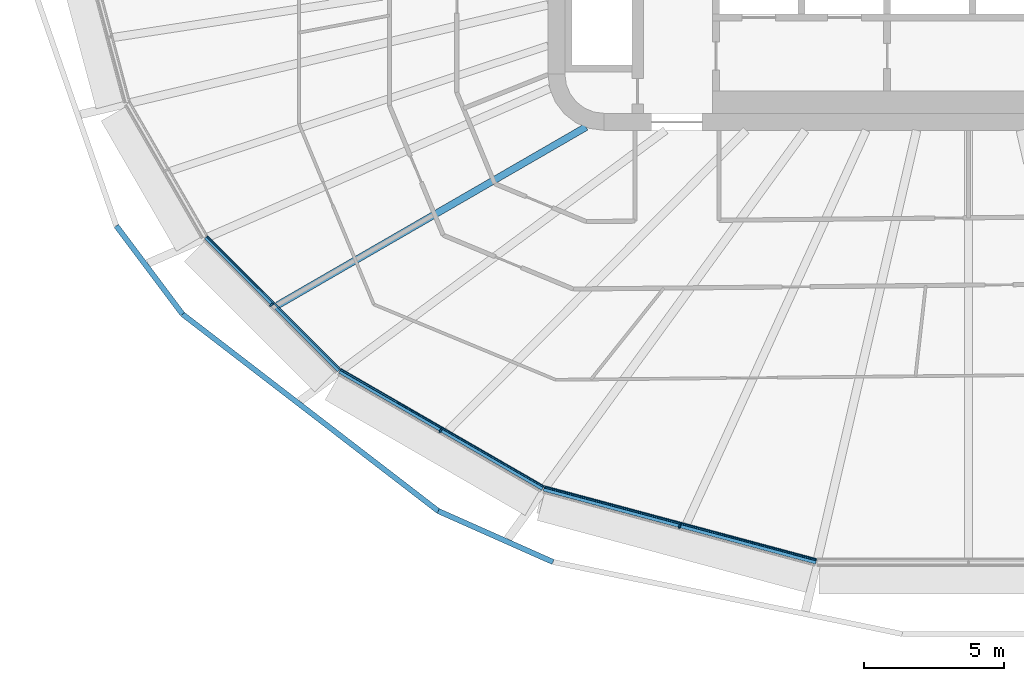
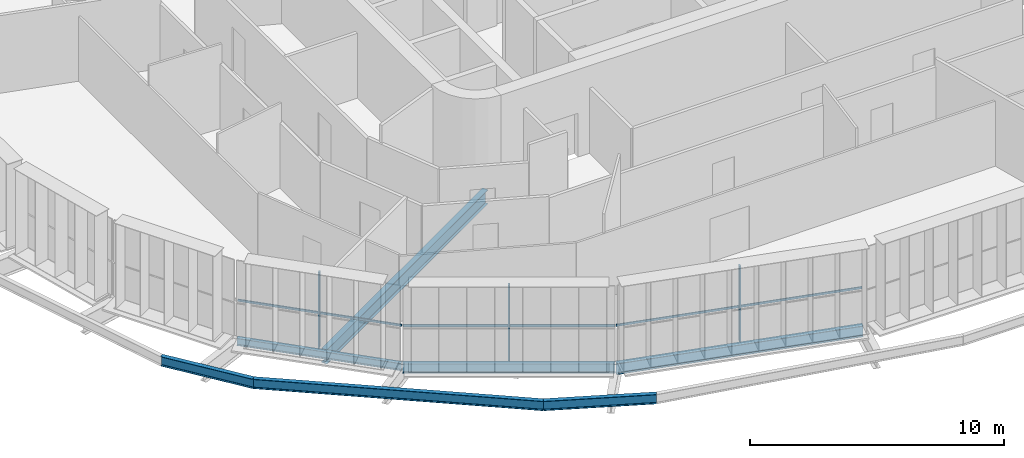
# One storey, part 1 of 28: 7 beams, 6 members, 3 elements without a shape of their own.
"""IFC4 building model written with IfcOpenShell, lengths in metres."""

import ifcopenshell
import ifcopenshell.guid

model = None  # the IFC model being written
_history = None  # IfcOwnerHistory: only IFC2X3 demands one
_inside = {}  # id of a spatial element -> (the spatial element, [elements in it])
_under = {}  # id of a project, library or spatial element -> (it, [spatial elements below it])
_declared = {}  # id of a project -> (the project, [libraries it declares])
_typed = {}  # id of a type object -> (the type object, [elements of that type])
_made_of = {}  # id of a material, layer set ... -> (it, [elements and type objects made of it])


def new_model(schema):
    """Start an empty IFC model of exactly this schema.

    Asked for "IFC4X3", IfcOpenShell would pick the latest addendum, in which some entities
    have other attributes; the version numbers below select the first issue.
    IFC2X3 requires an IfcOwnerHistory on every rooted entity: one is made here for all.
    """
    global model, _history
    if schema == "IFC4X3":
        model = ifcopenshell.file(schema_version=(4, 3, 0, 0))
    else:
        model = ifcopenshell.file(schema=schema)
    _inside.clear()
    _under.clear()
    _declared.clear()
    _typed.clear()
    _made_of.clear()
    _history = None
    if model.schema == "IFC2X3":
        org = make("IfcOrganization", Name="unknown")
        user = make(
            "IfcPersonAndOrganization",
            ThePerson=make("IfcPerson", FamilyName="unknown"),
            TheOrganization=org,
        )
        app = make(
            "IfcApplication",
            ApplicationDeveloper=org,
            Version="unknown",
            ApplicationFullName="unknown",
            ApplicationIdentifier="unknown",
        )
        _history = make(
            "IfcOwnerHistory",
            OwningUser=user,
            OwningApplication=app,
            ChangeAction="ADDED",
            CreationDate=0,
        )
    return model


def make(cls, **values):
    """One entity of the class cls with the attributes given. An attribute that is None is left unset."""
    return model.create_entity(
        cls, **{name: value for name, value in values.items() if value is not None}
    )


def rooted(cls, **values):
    """An entity with a GlobalId (a new one), such as an element, a storey or a relation."""
    return make(cls, GlobalId=ifcopenshell.guid.new(), OwnerHistory=_history, **values)


def si_unit(unit_type, name, prefix=None):
    """IfcSIUnit, for example si_unit("LENGTHUNIT", "METRE", prefix="MILLI")."""
    return make("IfcSIUnit", UnitType=unit_type, Prefix=prefix, Name=name)


def assignment(units):
    """IfcUnitAssignment: the units of a project."""
    return None if units is None else make("IfcUnitAssignment", Units=units)


def point(xyz):
    """IfcCartesianPoint."""
    return None if xyz is None else make("IfcCartesianPoint", Coordinates=xyz)


def direction(xyz):
    """IfcDirection."""
    return None if xyz is None else make("IfcDirection", DirectionRatios=xyz)


def frame(location, z_axis=None, x_axis=None):
    """IfcAxis2Placement3D, a coordinate frame: its origin and axes. An axis left out is left unset."""
    return make(
        "IfcAxis2Placement3D",
        Location=point(location),
        Axis=direction(z_axis),
        RefDirection=direction(x_axis),
    )


def frame_2d(location, x_axis=None):
    """IfcAxis2Placement2D, a coordinate frame in the plane: its origin and x axis."""
    return make(
        "IfcAxis2Placement2D", Location=point(location), RefDirection=direction(x_axis)
    )


def origin():
    """The frame at (0, 0, 0) with its axes left unset."""
    return frame((0.0, 0.0, 0.0))


def origin_2d():
    """The frame at (0, 0) in the plane with its x axis left unset."""
    return frame_2d((0.0, 0.0))


def place(relative_to, where):
    """IfcLocalPlacement: puts the frame where relative to a parent placement (None: the world)."""
    return make(
        "IfcLocalPlacement", PlacementRelTo=relative_to, RelativePlacement=where
    )


def context(
    kind, dimensions, precision=None, world=None, true_north=None, identifier=None
):
    """IfcGeometricRepresentationContext, for example the 3D "Model" context."""
    return make(
        "IfcGeometricRepresentationContext",
        ContextIdentifier=identifier,
        ContextType=kind,
        CoordinateSpaceDimension=dimensions,
        Precision=precision,
        WorldCoordinateSystem=world,
        TrueNorth=true_north,
    )


def subcontext(parent, identifier, kind, view, scale=None):
    """IfcGeometricRepresentationSubContext, for example "Body" below "Model"."""
    return make(
        "IfcGeometricRepresentationSubContext",
        ContextIdentifier=identifier,
        ContextType=kind,
        ParentContext=parent,
        TargetScale=scale,
        TargetView=view,
    )


def project(units=None, contexts=None):
    """IfcProject with its units and contexts."""
    return rooted(
        "IfcProject",
        Name="project",
        RepresentationContexts=contexts,
        UnitsInContext=assignment(units),
    )


def spatial(cls, under=None, at=None, **own):
    """A site, building, storey or space (cls), placed at a placement, below another one or the project."""
    s = rooted(cls, ObjectPlacement=at, **own)
    if under is not None:
        _under.setdefault(under.id(), (under, []))[1].append(s)
    return s


def profile(cls, at=None, kind="AREA", **sizes):
    """A parametric profile (cls). Its sizes go by their IFC names, for example OverallWidth=200.0."""
    return make(cls, ProfileType=kind, Position=at, **sizes)


def rectangle(**sizes):
    """IfcRectangleProfileDef."""
    return profile("IfcRectangleProfileDef", **sizes)


def i_section(**sizes):
    """IfcIShapeProfileDef."""
    return profile("IfcIShapeProfileDef", **sizes)


def extrude(swept, where, along, depth):
    """IfcExtrudedAreaSolid: the profile swept, set in the frame where, extruded along a direction by depth."""
    return make(
        "IfcExtrudedAreaSolid",
        SweptArea=swept,
        Position=where,
        ExtrudedDirection=direction(along),
        Depth=depth,
    )


def shape(context_of_items, identifier, shape_type, items):
    """IfcShapeRepresentation: the items that make up one representation, for example the "Body"."""
    return make(
        "IfcShapeRepresentation",
        ContextOfItems=context_of_items,
        RepresentationIdentifier=identifier,
        RepresentationType=shape_type,
        Items=items,
    )


def material(Name=None, Category=None):
    """IfcMaterial."""
    return make("IfcMaterial", Name=Name, Category=Category)


def layer(
    of_material, thickness, ventilated=None, Name=None, Category=None, Priority=None
):
    """IfcMaterialLayer: one layer of a wall or slab, of a material (None: an air gap)."""
    return make(
        "IfcMaterialLayer",
        Material=of_material,
        LayerThickness=thickness,
        IsVentilated=ventilated,
        Name=Name,
        Category=Category,
        Priority=Priority,
    )


def layer_set(layers, Name=None):
    """IfcMaterialLayerSet."""
    return make("IfcMaterialLayerSet", MaterialLayers=layers, LayerSetName=Name)


def material_profile(
    of_material, cross_section, Name=None, Category=None, Priority=None
):
    """IfcMaterialProfile: a cross section and its material."""
    return make(
        "IfcMaterialProfile",
        Name=Name,
        Material=of_material,
        Profile=cross_section,
        Priority=Priority,
        Category=Category,
    )


def profile_set(profiles, Name=None, composite=None):
    """IfcMaterialProfileSet."""
    return make(
        "IfcMaterialProfileSet",
        Name=Name,
        MaterialProfiles=profiles,
        CompositeProfile=composite,
    )


def made_of(thing, what):
    """Note that an element or type object is made of a material, layer set ...; save() writes the relation."""
    if what is not None:
        _made_of.setdefault(what.id(), (what, []))[1].append(thing)
    return thing


def type_object(cls, material=None, **own):
    """A type object (cls), such as IfcWallType, which elements share."""
    return made_of(rooted(cls, **own), material)


def element(
    cls,
    number,
    at=None,
    inside=None,
    cuts=None,
    type_object=None,
    material=None,
    context=None,
    identifier="Body",
    shape_type=None,
    held_by="IfcProductDefinitionShape",
    body=None,
    shapes=None,
    **own,
):
    """One element of the class cls, such as IfcWall. Its Tag is "e" and its number.

    at: its placement. inside: the storey or other place that contains it. cuts: it is an
    opening in that element (IfcRelVoidsElement). A single representation is given by context,
    identifier, shape_type and body (its items); several are given by shapes. held_by: the class
    of the entity that holds the representations. save() writes the other relations.
    """
    e = rooted(cls, Tag="e%d" % number, ObjectPlacement=at, **own)
    if body is not None:
        shapes = [shape(context, identifier, shape_type, body)]
    if shapes is not None:
        e.Representation = make(held_by, Representations=shapes)
    if inside is not None:
        _inside.setdefault(inside.id(), (inside, []))[1].append(e)
    if cuts is not None:
        rooted(
            "IfcRelVoidsElement", RelatingBuildingElement=cuts, RelatedOpeningElement=e
        )
    if type_object is not None:
        _typed.setdefault(type_object.id(), (type_object, []))[1].append(e)
    return made_of(e, material)


def aggregate(whole, parts):
    """IfcRelAggregates: a whole, such as a stair, and the parts it consists of."""
    return rooted("IfcRelAggregates", RelatingObject=whole, RelatedObjects=parts)


def save(model, path):
    """Write the relations noted so far, then the file.

    IfcRelAggregates (storeys below a building ...), IfcRelContainedInSpatialStructure (elements
    in a storey), IfcRelDefinesByType, IfcRelAssociatesMaterial and IfcRelDeclares: one each for
    every whole, place, type object, material and project.
    """
    for whole, parts in _under.values():
        aggregate(whole, parts)
    for where, things in _inside.values():
        rooted(
            "IfcRelContainedInSpatialStructure",
            RelatedElements=things,
            RelatingStructure=where,
        )
    for kind, things in _typed.values():
        rooted("IfcRelDefinesByType", RelatedObjects=things, RelatingType=kind)
    for what, things in _made_of.values():
        rooted("IfcRelAssociatesMaterial", RelatedObjects=things, RelatingMaterial=what)
    for by, libraries in _declared.values():
        rooted("IfcRelDeclares", RelatingContext=by, RelatedDefinitions=libraries)
    model.write(path)


model = new_model("IFC4")

# Units and contexts
model_context = context("Model", 3, precision=1e-05, world=origin(), true_north=direction((0.0, 1.0)))
body_context = subcontext(model_context, "Body", "Model", "MODEL_VIEW")
ifc_project = project(units=[si_unit("LENGTHUNIT", "METRE"), si_unit("AREAUNIT", "SQUARE_METRE"), si_unit("VOLUMEUNIT", "CUBIC_METRE"), si_unit("PLANEANGLEUNIT", "RADIAN"), si_unit("MASSUNIT", "GRAM", prefix="KILO")], contexts=[model_context])

# Site, building, storey
site_placement = place(None, origin())
site = spatial("IfcSite", under=ifc_project, at=site_placement, CompositionType="ELEMENT")
building_placement = place(site_placement, origin())
building = spatial("IfcBuilding", under=site, at=building_placement, Name="Sahrelin Media Tower", CompositionType="ELEMENT")
storey_placement = place(building_placement, frame((0.0, 0.0, 75.60009765625)))
storey = spatial("IfcBuildingStorey", under=building, at=storey_placement, Name="L13", CompositionType="ELEMENT", Elevation=75.60009765625)

# Beams
ifc_material_1 = material(Name="Steel S355", Category="steel")
ifc_material_profile_1 = material_profile(ifc_material_1, i_section(OverallWidth=0.17138671875, OverallDepth=0.35498046875, WebThickness=0.00732421875, FlangeThickness=0.011474609375, FilletRadius=0.01025390625, at=origin_2d()), Name="UB 356x171x51")
ifc_profile_set_1 = profile_set([ifc_material_profile_1], Name="Steel S355")
beam_type_1 = type_object("IfcBeamType", Name="Edge beam EB3", PredefinedType="BEAM", material=ifc_profile_set_1)
beam_1_placement = place(storey_placement, frame((-22.4482421875, -16.551025390625, -0.32763671875), z_axis=(-0.707106781187, 0.707106781187, 0.0), x_axis=(-0.707106781187, -0.707106781187, 0.0)))
element("IfcBeam", 1, at=beam_1_placement, inside=storey, type_object=beam_type_1, Name="Edge beam L13-09", PredefinedType="BEAM", context=body_context, shape_type="SweptSolid", body=[
    extrude(i_section(OverallWidth=0.17138671875, OverallDepth=0.35498046875, WebThickness=0.00732421875, FlangeThickness=0.011474609375, FilletRadius=0.01025390625, at=origin_2d()), origin(), (0.0, 0.0, 1.0), 6.703369140625),
])
ifc_material_profile_2 = material_profile(ifc_material_1, i_section(OverallWidth=0.1904296875, OverallDepth=0.45703125, WebThickness=0.009033203125, FlangeThickness=0.014404296875, FilletRadius=0.01025390625, at=origin_2d()), Name="UB 457x191x74")
ifc_profile_set_2 = profile_set([ifc_material_profile_2], Name="Steel S355")
beam_type_2 = type_object("IfcBeamType", Name="Edge beam EB5", PredefinedType="BEAM", material=ifc_profile_set_2)
beam_2_placement = place(storey_placement, frame((-15.17138671875, -20.7568359375, -0.378662109375), z_axis=(-0.866015700557, 0.500016806107, 0.0), x_axis=(-0.500016806107, -0.866015700557, 0.0)))
element("IfcBeam", 2, at=beam_2_placement, inside=storey, type_object=beam_type_2, Name="Edge beam L13-08", PredefinedType="BEAM", context=body_context, shape_type="SweptSolid", body=[
    extrude(i_section(OverallWidth=0.1904296875, OverallDepth=0.45703125, WebThickness=0.009033203125, FlangeThickness=0.014404296875, FilletRadius=0.01025390625, at=origin_2d()), origin(), (0.0, 0.0, 1.0), 8.376220703125),
])
ifc_material_profile_3 = material_profile(ifc_material_1, i_section(OverallWidth=0.208740234375, OverallDepth=0.5283203125, WebThickness=0.009521484375, FlangeThickness=0.01318359375, FilletRadius=0.0126953125, at=origin_2d()), Name="UB 533x210x82")
ifc_profile_set_3 = profile_set([ifc_material_profile_3], Name="Steel S355")
beam_type_3 = type_object("IfcBeamType", Name="Edge beam EB6", PredefinedType="BEAM", material=ifc_profile_set_3)
beam_3_placement = place(storey_placement, frame((-5.430908203125, -23.37060546875, -0.414306640625), z_axis=(-0.965926812337, 0.258815365093, 0.0), x_axis=(-0.258815365093, -0.965926812337, 0.0)))
element("IfcBeam", 3, at=beam_3_placement, inside=storey, type_object=beam_type_3, Name="Edge beam L13-07", PredefinedType="BEAM", context=body_context, shape_type="SweptSolid", body=[
    extrude(i_section(OverallWidth=0.208740234375, OverallDepth=0.5283203125, WebThickness=0.009521484375, FlangeThickness=0.01318359375, FilletRadius=0.0126953125, at=origin_2d()), origin(), (0.0, 0.0, 1.0), 10.056640625),
])

# Curtain wall, member
ifc_material_2 = material(Name="Champagne anodised aluminium 6063-T6", Category="aluminium")
ifc_layer = layer(ifc_material_2, 0.14990234375)
ifc_layer_set = layer_set([ifc_layer], Name="Tower ribbon curtain wall")
curtain_wall_type = type_object("IfcCurtainWallType", Name="Tower ribbon curtain wall", PredefinedType="NOTDEFINED", material=ifc_layer_set)
curtain_wall_1_placement = place(storey_placement, frame((-24.92431640625, -14.287109375, 0.0), z_axis=(0.0, 0.0, 1.0), x_axis=(1.0, 0.0, 0.0)))
curtain_wall_1 = element("IfcCurtainWall", 4, at=curtain_wall_1_placement, inside=storey, type_object=curtain_wall_type, Name="L13:CW:L13-15", PredefinedType="NOTDEFINED")
ifc_material_profile_4 = material_profile(ifc_material_2, rectangle(XDim=0.06005859375, YDim=0.14990234375, at=origin_2d()), Name="Mullion 60x150")
ifc_profile_set_4 = profile_set([ifc_material_profile_4], Name="Champagne anodised aluminium 6063-T6")
member_type_1 = type_object("IfcMemberType", Name="Mullion 60x150 CW1", PredefinedType="MULLION", material=ifc_profile_set_4)
member_1_placement = place(storey_placement, frame((-24.857177734375, -14.219970703125, 0.0), z_axis=(0.0, 0.0, 1.0), x_axis=(0.707106781187, -0.707106781187, 0.0)))
member_1 = element("IfcMember", 5, at=member_1_placement, type_object=member_type_1, Name="L13:CWM:L13-15", PredefinedType="MULLION", context=body_context, shape_type="SweptSolid", body=[
    extrude(rectangle(XDim=0.06005859375, YDim=0.14990234375, at=origin_2d()), origin(), (0.0, 0.0, 1.0), 3.6484375),
])

curtain_wall_2_placement = place(storey_placement, frame((-18.873291015625, -18.79248046875, 0.0), z_axis=(0.0, 0.0, 1.0), x_axis=(1.0, 0.0, 0.0)))
curtain_wall_2 = element("IfcCurtainWall", 6, at=curtain_wall_2_placement, inside=storey, type_object=curtain_wall_type, Name="L13:CW:L13-16", PredefinedType="NOTDEFINED")
member_2_placement = place(storey_placement, frame((-18.82568359375, -18.710205078125, 0.0), z_axis=(0.0, 0.0, 1.0), x_axis=(0.866022785779, -0.500004534492, 0.0)))
member_2 = element("IfcMember", 7, at=member_2_placement, type_object=member_type_1, Name="L13:CWM:L13-16", PredefinedType="MULLION", context=body_context, shape_type="SweptSolid", body=[
    extrude(rectangle(XDim=0.06005859375, YDim=0.14990234375, at=origin_2d()), origin(), (0.0, 0.0, 1.0), 3.6484375),
])

curtain_wall_3_placement = place(storey_placement, frame((-10.326416015625, -22.214111328125, 0.0), z_axis=(0.0, 0.0, 1.0), x_axis=(1.0, 0.0, 0.0)))
curtain_wall_3 = element("IfcCurtainWall", 8, at=curtain_wall_3_placement, inside=storey, type_object=curtain_wall_type, Name="L13:CW:L13-17", PredefinedType="NOTDEFINED")
member_3_placement = place(storey_placement, frame((-10.302001953125, -22.122314453125, 0.0), z_axis=(0.0, 0.0, 1.0), x_axis=(0.965924922834, -0.258822416818, 0.0)))
member_3 = element("IfcMember", 9, at=member_3_placement, type_object=member_type_1, Name="L13:CWM:L13-17", PredefinedType="MULLION", context=body_context, shape_type="SweptSolid", body=[
    extrude(rectangle(XDim=0.06005859375, YDim=0.14990234375, at=origin_2d()), origin(), (0.0, 0.0, 1.0), 3.6484375),
])

# Beams
ifc_material_profile_5 = material_profile(ifc_material_1, i_section(OverallWidth=0.2529296875, OverallDepth=0.677978515625, WebThickness=0.01171875, FlangeThickness=0.01611328125, FilletRadius=0.01513671875, at=origin_2d()), Name="UB 686x254x125")
ifc_profile_set_5 = profile_set([ifc_material_profile_5], Name="Steel S355")
beam_type_4 = type_object("IfcBeamType", Name="Radial secondary beam SB8", PredefinedType="BEAM", material=ifc_profile_set_5)
beam_4_placement = place(storey_placement, frame((-13.639404296875, -7.88134765625, -0.489013671875), z_axis=(-0.865849165088, -0.500305130212, 0.0), x_axis=(0.500305130212, -0.865849165088, 0.0)))
element("IfcBeam", 10, at=beam_4_placement, inside=storey, type_object=beam_type_4, Name="Secondary beam L13-12", PredefinedType="BEAM", context=body_context, shape_type="SweptSolid", body=[
    extrude(i_section(OverallWidth=0.2529296875, OverallDepth=0.677978515625, WebThickness=0.01171875, FlangeThickness=0.01611328125, FilletRadius=0.01513671875, at=origin_2d()), origin(), (0.0, 0.0, 1.0), 12.705078125),
])
ifc_material_profile_6 = material_profile(ifc_material_1, i_section(OverallWidth=0.1904296875, OverallDepth=0.45703125, WebThickness=0.009033203125, FlangeThickness=0.014404296875, FilletRadius=0.01025390625, at=origin_2d()), Name="UB 457x191x74")
ifc_profile_set_6 = profile_set([ifc_material_profile_6], Name="Steel S355")
beam_type_5 = type_object("IfcBeamType", Name="Tie chord TC5", PredefinedType="BEAM", material=ifc_profile_set_6)
beam_5_placement = place(storey_placement, frame((-30.3955078125, -11.40771484375, -0.378662109375), z_axis=(0.600069455964, -0.799947903316, 0.0), x_axis=(0.799947903316, 0.600069455964, 0.0)))
element("IfcBeam", 11, at=beam_5_placement, inside=storey, type_object=beam_type_5, Name="Tie chord L13-14", PredefinedType="BEAM", context=body_context, shape_type="SweptSolid", body=[
    extrude(i_section(OverallWidth=0.1904296875, OverallDepth=0.45703125, WebThickness=0.009033203125, FlangeThickness=0.014404296875, FilletRadius=0.01025390625, at=origin_2d()), origin(), (0.0, 0.0, 1.0), 3.936767578125),
])
beam_6_placement = place(storey_placement, frame((-28.033203125, -14.556884765625, -0.378662109375), z_axis=(0.792438643027, -0.609951634998, 0.0), x_axis=(0.609951634998, 0.792438643027, 0.0)))
element("IfcBeam", 12, at=beam_6_placement, inside=storey, type_object=beam_type_5, Name="Tie chord L13-15", PredefinedType="BEAM", context=body_context, shape_type="SweptSolid", body=[
    extrude(i_section(OverallWidth=0.1904296875, OverallDepth=0.45703125, WebThickness=0.009033203125, FlangeThickness=0.014404296875, FilletRadius=0.01025390625, at=origin_2d()), origin(), (0.0, 0.0, 1.0), 11.509521484375),
])
beam_7_placement = place(storey_placement, frame((-18.91259765625, -21.5771484375, -0.378662109375), z_axis=(0.913840777951, -0.406072693681, 0.0), x_axis=(0.406072693681, 0.913840777951, 0.0)))
element("IfcBeam", 13, at=beam_7_placement, inside=storey, type_object=beam_type_5, Name="Tie chord L13-16", PredefinedType="BEAM", context=body_context, shape_type="SweptSolid", body=[
    extrude(i_section(OverallWidth=0.1904296875, OverallDepth=0.45703125, WebThickness=0.009033203125, FlangeThickness=0.014404296875, FilletRadius=0.01025390625, at=origin_2d()), origin(), (0.0, 0.0, 1.0), 4.477294921875),
])

# Member
ifc_material_profile_7 = material_profile(ifc_material_2, rectangle(XDim=0.050048828125, YDim=0.10009765625, at=origin_2d()), Name="Transom 50x100")
ifc_profile_set_7 = profile_set([ifc_material_profile_7], Name="Champagne anodised aluminium 6063-T6")
member_type_2 = type_object("IfcMemberType", Name="Transom 50x100 CW1", PredefinedType="USERDEFINED", material=ifc_profile_set_7)
member_4_placement = place(storey_placement, frame((-27.145263671875, -11.790283203125, 1.599853515625), z_axis=(0.707106781187, -0.707106781187, 0.0), x_axis=(0.707106781187, 0.707106781187, 0.0)))
member_4 = element("IfcMember", 14, at=member_4_placement, type_object=member_type_2, Name="L13:CWT:L13-15", ObjectType="TRANSOM", PredefinedType="USERDEFINED", context=body_context, shape_type="SweptSolid", body=[
    extrude(rectangle(XDim=0.050048828125, YDim=0.10009765625, at=origin_2d()), origin(), (0.0, 0.0, 1.0), 6.671875),
])

aggregate(curtain_wall_1, [member_1, member_4])

member_5_placement = place(storey_placement, frame((-22.389404296875, -16.537353515625, 1.599853515625), z_axis=(0.866021890525, -0.500006085094, 0.0), x_axis=(0.500006085094, 0.866021890525, 0.0)))
member_5 = element("IfcMember", 15, at=member_5_placement, type_object=member_type_2, Name="L13:CWT:L13-16", ObjectType="TRANSOM", PredefinedType="USERDEFINED", context=body_context, shape_type="SweptSolid", body=[
    extrude(rectangle(XDim=0.050048828125, YDim=0.10009765625, at=origin_2d()), origin(), (0.0, 0.0, 1.0), 8.34521484375),
])

aggregate(curtain_wall_2, [member_2, member_5])

member_6_placement = place(storey_placement, frame((-15.117919921875, -20.728515625, 1.599853515625), z_axis=(0.965931529301, -0.258797760233, 0.0), x_axis=(0.258797760233, 0.965931529301, 0.0)))
member_6 = element("IfcMember", 16, at=member_6_placement, type_object=member_type_2, Name="L13:CWT:L13-17", ObjectType="TRANSOM", PredefinedType="USERDEFINED", context=body_context, shape_type="SweptSolid", body=[
    extrude(rectangle(XDim=0.050048828125, YDim=0.10009765625, at=origin_2d()), origin(), (0.0, 0.0, 1.0), 10.025146484375),
])

aggregate(curtain_wall_3, [member_3, member_6])

save(model, "model.ifc")
